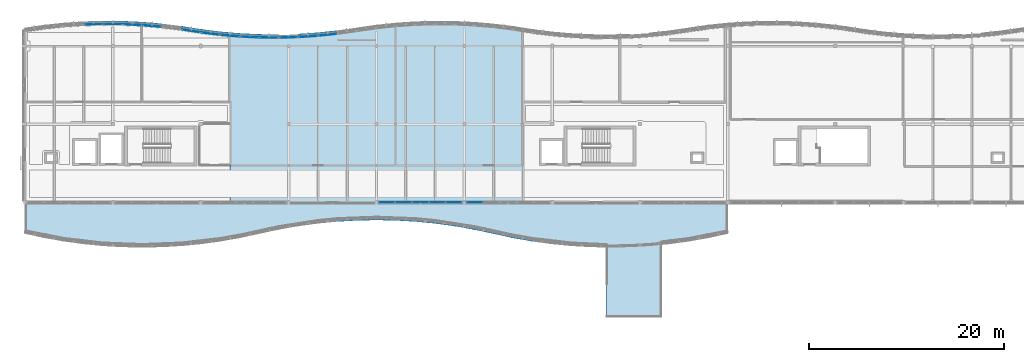
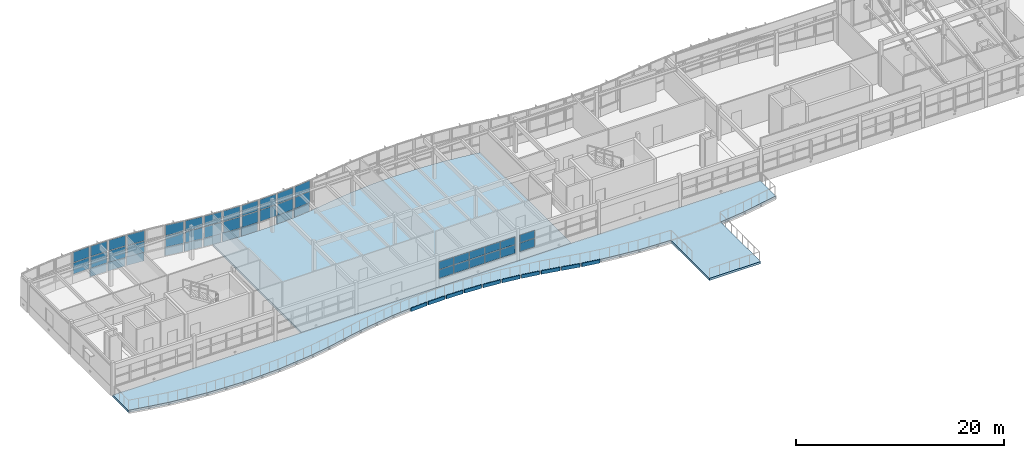
# One storey, part 15 of 33: 56 plates, 2 slabs, 14 elements without a shape of their own.
"""IFC4 building model written with IfcOpenShell, lengths in metres."""

from ifc_helpers import new_model, si_unit, direction, frame, origin, origin_2d, place, context, subcontext, project, spatial, polyline, rectangle, outline, extrude, material, layer, layer_set, type_object, element, aggregate, save


model = new_model("IFC4")

# Units and contexts
model_context = context("Model", 3, precision=1e-05, world=origin(), true_north=direction((0.0, 1.0)))
body_context = subcontext(model_context, "Body", "Model", "MODEL_VIEW")
ifc_project = project(units=[si_unit("LENGTHUNIT", "METRE"), si_unit("AREAUNIT", "SQUARE_METRE"), si_unit("VOLUMEUNIT", "CUBIC_METRE"), si_unit("PLANEANGLEUNIT", "RADIAN"), si_unit("MASSUNIT", "GRAM", prefix="KILO")], contexts=[model_context])

# Site, building, storey
site_placement = place(None, origin())
site = spatial("IfcSite", under=ifc_project, at=site_placement, CompositionType="ELEMENT")
building_placement = place(site_placement, origin())
building = spatial("IfcBuilding", under=site, at=building_placement, Name="Tonlespit Floodbar School", CompositionType="ELEMENT")
storey_placement = place(building_placement, frame((0.0, 0.0, 16.199951171875)))
storey = spatial("IfcBuildingStorey", under=building, at=storey_placement, Name="L04", CompositionType="ELEMENT", Elevation=16.199951171875)

# Curtain wall, plates
ifc_material_1 = material(Name="Anodised Aluminium", Category="aluminium")
ifc_layer_1 = layer(ifc_material_1, 0.159912109375)
ifc_layer_set_1 = layer_set([ifc_layer_1], Name="Anodised Aluminium")
curtain_wall_type_1 = type_object("IfcCurtainWallType", Name="CurtainWall_1900x2700", PredefinedType="NOTDEFINED", material=ifc_layer_set_1)
curtain_wall_1_placement = place(storey_placement, origin())
curtain_wall_1 = element("IfcCurtainWall", 1, at=curtain_wall_1_placement, inside=storey, type_object=curtain_wall_type_1, Name="L04 unitised curtain wall 0169", PredefinedType="NOTDEFINED")
ifc_material_2 = material(Name="Laminated Low-E Glass", Category="glass")
ifc_layer_2 = layer(ifc_material_2, 0.028076171875)
ifc_layer_set_2 = layer_set([ifc_layer_2], Name="Laminated Low-E Glass")
plate_type_1 = type_object("IfcPlateType", Name="CW_Panel_Glaz_28", PredefinedType="CURTAIN_PANEL", material=ifc_layer_set_2)
plate_1_placement = place(storey_placement, frame((51.0, 122.21826171875, 1.01513671875), z_axis=(0.0, 0.0, 1.0), x_axis=(0.999585477883, 0.028790144226, 0.0)))
plate_1 = element("IfcPlate", 2, at=plate_1_placement, type_object=plate_type_1, Name="CW-05 panel 1.1", PredefinedType="CURTAIN_PANEL", context=body_context, shape_type="SweptSolid", body=[
    extrude(rectangle(XDim=1.790771484375, YDim=0.028076171875, at=origin_2d()), origin(), (0.0, 0.0, 1.0), 1.306396484375),
])
plate_2_placement = place(storey_placement, frame((51.0, 122.21826171875, 2.38671875), z_axis=(0.0, 0.0, 1.0), x_axis=(0.999585477883, 0.028790144226, 0.0)))
plate_2 = element("IfcPlate", 3, at=plate_2_placement, type_object=plate_type_1, Name="CW-05 panel 1.2", PredefinedType="CURTAIN_PANEL", context=body_context, shape_type="SweptSolid", body=[
    extrude(rectangle(XDim=1.790771484375, YDim=0.028076171875, at=origin_2d()), origin(), (0.0, 0.0, 1.0), 1.198486328125),
])
aggregate(curtain_wall_1, [plate_1, plate_2])

curtain_wall_2_placement = place(storey_placement, origin())
curtain_wall_2 = element("IfcCurtainWall", 4, at=curtain_wall_2_placement, inside=storey, type_object=curtain_wall_type_1, Name="L04 unitised curtain wall 0177", PredefinedType="NOTDEFINED")
plate_3_placement = place(storey_placement, frame((67.0, 120.92041015625, 1.01513671875), z_axis=(0.0, 0.0, 1.0), x_axis=(0.998841500616, -0.048121270216, 0.0)))
plate_3 = element("IfcPlate", 5, at=plate_3_placement, type_object=plate_type_1, Name="CW-05 panel 1.1", PredefinedType="CURTAIN_PANEL", context=body_context, shape_type="SweptSolid", body=[
    extrude(rectangle(XDim=1.792236328125, YDim=0.028076171875, at=origin_2d()), origin(), (0.0, 0.0, 1.0), 1.306396484375),
])
plate_4_placement = place(storey_placement, frame((67.0, 120.92041015625, 2.38671875), z_axis=(0.0, 0.0, 1.0), x_axis=(0.998841500616, -0.048121270216, 0.0)))
plate_4 = element("IfcPlate", 6, at=plate_4_placement, type_object=plate_type_1, Name="CW-05 panel 1.2", PredefinedType="CURTAIN_PANEL", context=body_context, shape_type="SweptSolid", body=[
    extrude(rectangle(XDim=1.792236328125, YDim=0.028076171875, at=origin_2d()), origin(), (0.0, 0.0, 1.0), 1.198486328125),
])
aggregate(curtain_wall_2, [plate_3, plate_4])

ifc_layer_3 = layer(ifc_material_1, 0.159912109375)
ifc_layer_set_3 = layer_set([ifc_layer_3], Name="Anodised Aluminium")
curtain_wall_type_2 = type_object("IfcCurtainWallType", Name="CurtainWall_1950x2700", PredefinedType="NOTDEFINED", material=ifc_layer_set_3)
curtain_wall_3_placement = place(storey_placement, origin())
curtain_wall_3 = element("IfcCurtainWall", 7, at=curtain_wall_3_placement, inside=storey, type_object=curtain_wall_type_2, Name="L04 unitised curtain wall 0181", PredefinedType="NOTDEFINED")
plate_5_placement = place(storey_placement, frame((75.0, 121.152099609375, 1.01513671875), z_axis=(0.0, 0.0, 1.0), x_axis=(0.994388797288, 0.105787143968, 0.0)))
plate_5 = element("IfcPlate", 8, at=plate_5_placement, type_object=plate_type_1, Name="CW-04 panel 1.1", PredefinedType="CURTAIN_PANEL", context=body_context, shape_type="SweptSolid", body=[
    extrude(rectangle(XDim=1.80126953125, YDim=0.028076171875, at=origin_2d()), origin(), (0.0, 0.0, 1.0), 1.306396484375),
])
plate_6_placement = place(storey_placement, frame((75.0, 121.152099609375, 2.38671875), z_axis=(0.0, 0.0, 1.0), x_axis=(0.994388797288, 0.105787143968, 0.0)))
plate_6 = element("IfcPlate", 9, at=plate_6_placement, type_object=plate_type_1, Name="CW-04 panel 1.2", PredefinedType="CURTAIN_PANEL", context=body_context, shape_type="SweptSolid", body=[
    extrude(rectangle(XDim=1.80126953125, YDim=0.028076171875, at=origin_2d()), origin(), (0.0, 0.0, 1.0), 1.198486328125),
])
aggregate(curtain_wall_3, [plate_5, plate_6])

curtain_wall_4_placement = place(storey_placement, origin())
curtain_wall_4 = element("IfcCurtainWall", 10, at=curtain_wall_4_placement, inside=storey, type_object=curtain_wall_type_1, Name="L04 unitised curtain wall 0170", PredefinedType="NOTDEFINED")
ifc_layer_4 = layer(ifc_material_2, 0.031982421875)
ifc_layer_set_4 = layer_set([ifc_layer_4], Name="Laminated Low-E Glass")
plate_type_2 = type_object("IfcPlateType", Name="CW_Panel_Glaz_32", PredefinedType="CURTAIN_PANEL", material=ifc_layer_set_4)
plate_7_placement = place(storey_placement, frame((53.0, 122.2373046875, 1.01513671875), z_axis=(0.0, 0.0, 1.0), x_axis=(0.999954083024, -0.009582893292, 0.0)))
plate_7 = element("IfcPlate", 11, at=plate_7_placement, type_object=plate_type_2, Name="CW-05 panel 1.1", PredefinedType="CURTAIN_PANEL", context=body_context, shape_type="SweptSolid", body=[
    extrude(rectangle(XDim=1.7900390625, YDim=0.031982421875, at=origin_2d()), origin(), (0.0, 0.0, 1.0), 1.306396484375),
])
plate_8_placement = place(storey_placement, frame((53.0, 122.2373046875, 2.38671875), z_axis=(0.0, 0.0, 1.0), x_axis=(0.999954083024, -0.009582893292, 0.0)))
plate_8 = element("IfcPlate", 12, at=plate_8_placement, type_object=plate_type_2, Name="CW-05 panel 1.2", PredefinedType="CURTAIN_PANEL", context=body_context, shape_type="SweptSolid", body=[
    extrude(rectangle(XDim=1.7900390625, YDim=0.031982421875, at=origin_2d()), origin(), (0.0, 0.0, 1.0), 1.198486328125),
])
aggregate(curtain_wall_4, [plate_7, plate_8])

curtain_wall_5_placement = place(storey_placement, origin())
curtain_wall_5 = element("IfcCurtainWall", 13, at=curtain_wall_5_placement, inside=storey, type_object=curtain_wall_type_2, Name="L04 unitised curtain wall 0174", PredefinedType="NOTDEFINED")
plate_9_placement = place(storey_placement, frame((61.0, 121.550048828125, 1.01513671875), z_axis=(0.0, 0.0, 1.0), x_axis=(0.988102576465, -0.153796288585, 0.0)))
plate_9 = element("IfcPlate", 14, at=plate_9_placement, type_object=plate_type_2, Name="CW-04 panel 1.1", PredefinedType="CURTAIN_PANEL", context=body_context, shape_type="SweptSolid", body=[
    extrude(rectangle(XDim=1.814208984375, YDim=0.031982421875, at=origin_2d()), origin(), (0.0, 0.0, 1.0), 1.306396484375),
])
plate_10_placement = place(storey_placement, frame((61.0, 121.550048828125, 2.38671875), z_axis=(0.0, 0.0, 1.0), x_axis=(0.988102576465, -0.153796288585, 0.0)))
plate_10 = element("IfcPlate", 15, at=plate_10_placement, type_object=plate_type_2, Name="CW-04 panel 1.2", PredefinedType="CURTAIN_PANEL", context=body_context, shape_type="SweptSolid", body=[
    extrude(rectangle(XDim=1.814208984375, YDim=0.031982421875, at=origin_2d()), origin(), (0.0, 0.0, 1.0), 1.198486328125),
])
aggregate(curtain_wall_5, [plate_9, plate_10])

curtain_wall_6_placement = place(storey_placement, origin())
curtain_wall_6 = element("IfcCurtainWall", 16, at=curtain_wall_6_placement, inside=storey, type_object=curtain_wall_type_1, Name="L04 unitised curtain wall 0178", PredefinedType="NOTDEFINED")
plate_11_placement = place(storey_placement, frame((69.0, 120.862548828125, 1.01513671875), z_axis=(0.0, 0.0, 1.0), x_axis=(0.999954083024, -0.009582893292, 0.0)))
plate_11 = element("IfcPlate", 17, at=plate_11_placement, type_object=plate_type_2, Name="CW-05 panel 1.1", PredefinedType="CURTAIN_PANEL", context=body_context, shape_type="SweptSolid", body=[
    extrude(rectangle(XDim=1.7900390625, YDim=0.031982421875, at=origin_2d()), origin(), (0.0, 0.0, 1.0), 1.306396484375),
])
plate_12_placement = place(storey_placement, frame((69.0, 120.862548828125, 2.38671875), z_axis=(0.0, 0.0, 1.0), x_axis=(0.999954083024, -0.009582893292, 0.0)))
plate_12 = element("IfcPlate", 18, at=plate_12_placement, type_object=plate_type_2, Name="CW-05 panel 1.2", PredefinedType="CURTAIN_PANEL", context=body_context, shape_type="SweptSolid", body=[
    extrude(rectangle(XDim=1.7900390625, YDim=0.031982421875, at=origin_2d()), origin(), (0.0, 0.0, 1.0), 1.198486328125),
])
aggregate(curtain_wall_6, [plate_11, plate_12])

curtain_wall_7_placement = place(storey_placement, origin())
curtain_wall_7 = element("IfcCurtainWall", 19, at=curtain_wall_7_placement, inside=storey, type_object=curtain_wall_type_1, Name="L04 unitised curtain wall 0171", PredefinedType="NOTDEFINED")
ifc_layer_5 = layer(ifc_material_2, 0.035888671875)
ifc_layer_set_5 = layer_set([ifc_layer_5], Name="Laminated Low-E Glass")
plate_type_3 = type_object("IfcPlateType", Name="CW_Panel_Glaz_36", PredefinedType="CURTAIN_PANEL", material=ifc_layer_set_5)
plate_13_placement = place(storey_placement, frame((55.0, 122.1796875, 1.01513671875), z_axis=(0.0, 0.0, 1.0), x_axis=(0.998841500616, -0.048121270216, 0.0)))
plate_13 = element("IfcPlate", 20, at=plate_13_placement, type_object=plate_type_3, Name="CW-05 panel 1.1", PredefinedType="CURTAIN_PANEL", context=body_context, shape_type="SweptSolid", body=[
    extrude(rectangle(XDim=1.792236328125, YDim=0.035888671875, at=origin_2d()), origin(), (0.0, 0.0, 1.0), 1.306396484375),
])
plate_14_placement = place(storey_placement, frame((55.0, 122.1796875, 2.38671875), z_axis=(0.0, 0.0, 1.0), x_axis=(0.998841500616, -0.048121270216, 0.0)))
plate_14 = element("IfcPlate", 21, at=plate_14_placement, type_object=plate_type_3, Name="CW-05 panel 1.2", PredefinedType="CURTAIN_PANEL", context=body_context, shape_type="SweptSolid", body=[
    extrude(rectangle(XDim=1.792236328125, YDim=0.035888671875, at=origin_2d()), origin(), (0.0, 0.0, 1.0), 1.198486328125),
])
aggregate(curtain_wall_7, [plate_13, plate_14])

curtain_wall_8_placement = place(storey_placement, origin())
curtain_wall_8 = element("IfcCurtainWall", 22, at=curtain_wall_8_placement, inside=storey, type_object=curtain_wall_type_2, Name="L04 unitised curtain wall 0175", PredefinedType="NOTDEFINED")
plate_15_placement = place(storey_placement, frame((63.0, 121.268310546875, 1.01513671875), z_axis=(0.0, 0.0, 1.0), x_axis=(0.992155002499, -0.125013803299, 0.0)))
plate_15 = element("IfcPlate", 23, at=plate_15_placement, type_object=plate_type_3, Name="CW-04 panel 1.1", PredefinedType="CURTAIN_PANEL", context=body_context, shape_type="SweptSolid", body=[
    extrude(rectangle(XDim=1.805908203125, YDim=0.035888671875, at=origin_2d()), origin(), (0.0, 0.0, 1.0), 1.306396484375),
])
plate_16_placement = place(storey_placement, frame((63.0, 121.268310546875, 2.38671875), z_axis=(0.0, 0.0, 1.0), x_axis=(0.992155002499, -0.125013803299, 0.0)))
plate_16 = element("IfcPlate", 24, at=plate_16_placement, type_object=plate_type_3, Name="CW-04 panel 1.2", PredefinedType="CURTAIN_PANEL", context=body_context, shape_type="SweptSolid", body=[
    extrude(rectangle(XDim=1.805908203125, YDim=0.035888671875, at=origin_2d()), origin(), (0.0, 0.0, 1.0), 1.198486328125),
])
aggregate(curtain_wall_8, [plate_15, plate_16])

curtain_wall_9_placement = place(storey_placement, origin())
curtain_wall_9 = element("IfcCurtainWall", 25, at=curtain_wall_9_placement, inside=storey, type_object=curtain_wall_type_1, Name="L04 unitised curtain wall 0179", PredefinedType="NOTDEFINED")
plate_17_placement = place(storey_placement, frame((71.0, 120.8818359375, 1.01513671875), z_axis=(0.0, 0.0, 1.0), x_axis=(0.999585477883, 0.028790144226, 0.0)))
plate_17 = element("IfcPlate", 26, at=plate_17_placement, type_object=plate_type_3, Name="CW-05 panel 1.1", PredefinedType="CURTAIN_PANEL", context=body_context, shape_type="SweptSolid", body=[
    extrude(rectangle(XDim=1.790771484375, YDim=0.035888671875, at=origin_2d()), origin(), (0.0, 0.0, 1.0), 1.306396484375),
])
plate_18_placement = place(storey_placement, frame((71.0, 120.8818359375, 2.38671875), z_axis=(0.0, 0.0, 1.0), x_axis=(0.999585477883, 0.028790144226, 0.0)))
plate_18 = element("IfcPlate", 27, at=plate_18_placement, type_object=plate_type_3, Name="CW-05 panel 1.2", PredefinedType="CURTAIN_PANEL", context=body_context, shape_type="SweptSolid", body=[
    extrude(rectangle(XDim=1.790771484375, YDim=0.035888671875, at=origin_2d()), origin(), (0.0, 0.0, 1.0), 1.198486328125),
])
aggregate(curtain_wall_9, [plate_17, plate_18])

ifc_layer_6 = layer(ifc_material_1, 0.159912109375)
ifc_layer_set_6 = layer_set([ifc_layer_6], Name="Anodised Aluminium")
curtain_wall_type_3 = type_object("IfcCurtainWallType", Name="CurtainWall_8600x2050", PredefinedType="NOTDEFINED", material=ifc_layer_set_6)
curtain_wall_10_placement = place(storey_placement, origin())
curtain_wall_10 = element("IfcCurtainWall", 28, at=curtain_wall_10_placement, inside=storey, type_object=curtain_wall_type_3, Name="L04 unitised curtain wall 0203", PredefinedType="NOTDEFINED")
plate_19_placement = place(storey_placement, frame((90.076171875, 104.0, 1.01513671875), z_axis=(0.0, 0.0, 1.0), x_axis=(-1.0, 0.0, 0.0)))
plate_19 = element("IfcPlate", 29, at=plate_19_placement, type_object=plate_type_3, Name="CW-08 panel 5.1", PredefinedType="CURTAIN_PANEL", context=body_context, shape_type="SweptSolid", body=[
    extrude(rectangle(XDim=1.62255859375, YDim=0.035888671875, at=origin_2d()), origin(), (0.0, 0.0, 1.0), 0.97265625),
])
plate_20_placement = place(storey_placement, frame((90.076171875, 104.0, 2.052734375), z_axis=(0.0, 0.0, 1.0), x_axis=(-1.0, 0.0, 0.0)))
plate_20 = element("IfcPlate", 30, at=plate_20_placement, type_object=plate_type_3, Name="CW-08 panel 5.2", PredefinedType="CURTAIN_PANEL", context=body_context, shape_type="SweptSolid", body=[
    extrude(rectangle(XDim=1.62255859375, YDim=0.035888671875, at=origin_2d()), origin(), (0.0, 0.0, 1.0), 0.890380859375),
])
aggregate(curtain_wall_10, [plate_19, plate_20])

curtain_wall_11_placement = place(storey_placement, origin())
curtain_wall_11 = element("IfcCurtainWall", 31, at=curtain_wall_11_placement, inside=storey, type_object=curtain_wall_type_2, Name="L04 unitised curtain wall 0172", PredefinedType="NOTDEFINED")
ifc_layer_7 = layer(ifc_material_2, 0.0419921875)
ifc_layer_set_7 = layer_set([ifc_layer_7], Name="Laminated Low-E Glass")
plate_type_4 = type_object("IfcPlateType", Name="CW_Panel_Glaz_42", PredefinedType="CURTAIN_PANEL", material=ifc_layer_set_7)
plate_21_placement = place(storey_placement, frame((57.0, 122.044677734375, 1.01513671875), z_axis=(0.0, 0.0, 1.0), x_axis=(0.996249148412, -0.086531117454, 0.0)))
plate_21 = element("IfcPlate", 32, at=plate_21_placement, type_object=plate_type_4, Name="CW-04 panel 1.1", PredefinedType="CURTAIN_PANEL", context=body_context, shape_type="SweptSolid", body=[
    extrude(rectangle(XDim=1.797607421875, YDim=0.0419921875, at=origin_2d()), origin(), (0.0, 0.0, 1.0), 1.306396484375),
])
plate_22_placement = place(storey_placement, frame((57.0, 122.044677734375, 2.38671875), z_axis=(0.0, 0.0, 1.0), x_axis=(0.996249148412, -0.086531117454, 0.0)))
plate_22 = element("IfcPlate", 33, at=plate_22_placement, type_object=plate_type_4, Name="CW-04 panel 1.2", PredefinedType="CURTAIN_PANEL", context=body_context, shape_type="SweptSolid", body=[
    extrude(rectangle(XDim=1.797607421875, YDim=0.0419921875, at=origin_2d()), origin(), (0.0, 0.0, 1.0), 1.198486328125),
])
aggregate(curtain_wall_11, [plate_21, plate_22])

curtain_wall_12_placement = place(storey_placement, origin())
curtain_wall_12 = element("IfcCurtainWall", 34, at=curtain_wall_12_placement, inside=storey, type_object=curtain_wall_type_2, Name="L04 unitised curtain wall 0176", PredefinedType="NOTDEFINED")
plate_23_placement = place(storey_placement, frame((65.0, 121.055419921875, 1.01513671875), z_axis=(0.0, 0.0, 1.0), x_axis=(0.996249148412, -0.086531117454, 0.0)))
plate_23 = element("IfcPlate", 35, at=plate_23_placement, type_object=plate_type_4, Name="CW-04 panel 1.1", PredefinedType="CURTAIN_PANEL", context=body_context, shape_type="SweptSolid", body=[
    extrude(rectangle(XDim=1.797607421875, YDim=0.0419921875, at=origin_2d()), origin(), (0.0, 0.0, 1.0), 1.306396484375),
])
plate_24_placement = place(storey_placement, frame((65.0, 121.055419921875, 2.38671875), z_axis=(0.0, 0.0, 1.0), x_axis=(0.996249148412, -0.086531117454, 0.0)))
plate_24 = element("IfcPlate", 36, at=plate_24_placement, type_object=plate_type_4, Name="CW-04 panel 1.2", PredefinedType="CURTAIN_PANEL", context=body_context, shape_type="SweptSolid", body=[
    extrude(rectangle(XDim=1.797607421875, YDim=0.0419921875, at=origin_2d()), origin(), (0.0, 0.0, 1.0), 1.198486328125),
])
aggregate(curtain_wall_12, [plate_23, plate_24])

curtain_wall_13_placement = place(storey_placement, origin())
curtain_wall_13 = element("IfcCurtainWall", 37, at=curtain_wall_13_placement, inside=storey, type_object=curtain_wall_type_1, Name="L04 unitised curtain wall 0180", PredefinedType="NOTDEFINED")
plate_25_placement = place(storey_placement, frame((73.0, 120.978271484375, 1.01513671875), z_axis=(0.0, 0.0, 1.0), x_axis=(0.99773010165, 0.067339767311, 0.0)))
plate_25 = element("IfcPlate", 38, at=plate_25_placement, type_object=plate_type_4, Name="CW-05 panel 1.1", PredefinedType="CURTAIN_PANEL", context=body_context, shape_type="SweptSolid", body=[
    extrude(rectangle(XDim=1.794677734375, YDim=0.0419921875, at=origin_2d()), origin(), (0.0, 0.0, 1.0), 1.306396484375),
])
plate_26_placement = place(storey_placement, frame((73.0, 120.978271484375, 2.38671875), z_axis=(0.0, 0.0, 1.0), x_axis=(0.99773010165, 0.067339767311, 0.0)))
plate_26 = element("IfcPlate", 39, at=plate_26_placement, type_object=plate_type_4, Name="CW-05 panel 1.2", PredefinedType="CURTAIN_PANEL", context=body_context, shape_type="SweptSolid", body=[
    extrude(rectangle(XDim=1.794677734375, YDim=0.0419921875, at=origin_2d()), origin(), (0.0, 0.0, 1.0), 1.198486328125),
])
aggregate(curtain_wall_13, [plate_25, plate_26])

curtain_wall_14_placement = place(storey_placement, origin())
curtain_wall_14 = element("IfcCurtainWall", 40, at=curtain_wall_14_placement, inside=storey, type_object=curtain_wall_type_3, Name="L04 unitised curtain wall 0204", PredefinedType="NOTDEFINED")
plate_27_placement = place(storey_placement, frame((87.923828125, 104.0, 1.01513671875), z_axis=(0.0, 0.0, 1.0), x_axis=(-1.0, 0.0, 0.0)))
plate_27 = element("IfcPlate", 41, at=plate_27_placement, type_object=plate_type_4, Name="CW-08 panel 1.1", PredefinedType="CURTAIN_PANEL", context=body_context, shape_type="SweptSolid", body=[
    extrude(rectangle(XDim=1.62255859375, YDim=0.0419921875, at=origin_2d()), origin(), (0.0, 0.0, 1.0), 0.9736328125),
])
plate_28_placement = place(storey_placement, frame((87.923828125, 104.0, 2.0537109375), z_axis=(0.0, 0.0, 1.0), x_axis=(-1.0, 0.0, 0.0)))
plate_28 = element("IfcPlate", 42, at=plate_28_placement, type_object=plate_type_4, Name="CW-08 panel 1.2", PredefinedType="CURTAIN_PANEL", context=body_context, shape_type="SweptSolid", body=[
    extrude(rectangle(XDim=1.62255859375, YDim=0.0419921875, at=origin_2d()), origin(), (0.0, 0.0, 1.0), 0.891357421875),
])
plate_29_placement = place(storey_placement, frame((86.219970703125, 104.0, 1.01513671875), z_axis=(0.0, 0.0, 1.0), x_axis=(-1.0, 0.0, 0.0)))
plate_29 = element("IfcPlate", 43, at=plate_29_placement, type_object=plate_type_4, Name="CW-08 panel 2.1", PredefinedType="CURTAIN_PANEL", context=body_context, shape_type="SweptSolid", body=[
    extrude(rectangle(XDim=1.655029296875, YDim=0.0419921875, at=origin_2d()), origin(), (0.0, 0.0, 1.0), 0.9736328125),
])
plate_30_placement = place(storey_placement, frame((86.219970703125, 104.0, 2.0537109375), z_axis=(0.0, 0.0, 1.0), x_axis=(-1.0, 0.0, 0.0)))
plate_30 = element("IfcPlate", 44, at=plate_30_placement, type_object=plate_type_4, Name="CW-08 panel 2.2", PredefinedType="CURTAIN_PANEL", context=body_context, shape_type="SweptSolid", body=[
    extrude(rectangle(XDim=1.655029296875, YDim=0.0419921875, at=origin_2d()), origin(), (0.0, 0.0, 1.0), 0.891357421875),
])
plate_31_placement = place(storey_placement, frame((84.5, 104.0, 1.01513671875), z_axis=(0.0, 0.0, 1.0), x_axis=(-1.0, 0.0, 0.0)))
plate_31 = element("IfcPlate", 45, at=plate_31_placement, type_object=plate_type_4, Name="CW-08 panel 3.1", PredefinedType="CURTAIN_PANEL", context=body_context, shape_type="SweptSolid", body=[
    extrude(rectangle(XDim=1.655029296875, YDim=0.0419921875, at=origin_2d()), origin(), (0.0, 0.0, 1.0), 0.9736328125),
])
plate_32_placement = place(storey_placement, frame((84.5, 104.0, 2.0537109375), z_axis=(0.0, 0.0, 1.0), x_axis=(-1.0, 0.0, 0.0)))
plate_32 = element("IfcPlate", 46, at=plate_32_placement, type_object=plate_type_4, Name="CW-08 panel 3.2", PredefinedType="CURTAIN_PANEL", context=body_context, shape_type="SweptSolid", body=[
    extrude(rectangle(XDim=1.655029296875, YDim=0.0419921875, at=origin_2d()), origin(), (0.0, 0.0, 1.0), 0.891357421875),
])
plate_33_placement = place(storey_placement, frame((82.780029296875, 104.0, 1.01513671875), z_axis=(0.0, 0.0, 1.0), x_axis=(-1.0, 0.0, 0.0)))
plate_33 = element("IfcPlate", 47, at=plate_33_placement, type_object=plate_type_4, Name="CW-08 panel 4.1", PredefinedType="CURTAIN_PANEL", context=body_context, shape_type="SweptSolid", body=[
    extrude(rectangle(XDim=1.655029296875, YDim=0.0419921875, at=origin_2d()), origin(), (0.0, 0.0, 1.0), 0.9736328125),
])
plate_34_placement = place(storey_placement, frame((82.780029296875, 104.0, 2.0537109375), z_axis=(0.0, 0.0, 1.0), x_axis=(-1.0, 0.0, 0.0)))
plate_34 = element("IfcPlate", 48, at=plate_34_placement, type_object=plate_type_4, Name="CW-08 panel 4.2", PredefinedType="CURTAIN_PANEL", context=body_context, shape_type="SweptSolid", body=[
    extrude(rectangle(XDim=1.655029296875, YDim=0.0419921875, at=origin_2d()), origin(), (0.0, 0.0, 1.0), 0.891357421875),
])
plate_35_placement = place(storey_placement, frame((81.076171875, 104.0, 1.01513671875), z_axis=(0.0, 0.0, 1.0), x_axis=(-1.0, 0.0, 0.0)))
plate_35 = element("IfcPlate", 49, at=plate_35_placement, type_object=plate_type_4, Name="CW-08 panel 5.1", PredefinedType="CURTAIN_PANEL", context=body_context, shape_type="SweptSolid", body=[
    extrude(rectangle(XDim=1.62255859375, YDim=0.0419921875, at=origin_2d()), origin(), (0.0, 0.0, 1.0), 0.9736328125),
])
plate_36_placement = place(storey_placement, frame((81.076171875, 104.0, 2.0537109375), z_axis=(0.0, 0.0, 1.0), x_axis=(-1.0, 0.0, 0.0)))
plate_36 = element("IfcPlate", 50, at=plate_36_placement, type_object=plate_type_4, Name="CW-08 panel 5.2", PredefinedType="CURTAIN_PANEL", context=body_context, shape_type="SweptSolid", body=[
    extrude(rectangle(XDim=1.62255859375, YDim=0.0419921875, at=origin_2d()), origin(), (0.0, 0.0, 1.0), 0.891357421875),
])
aggregate(curtain_wall_14, [plate_27, plate_28, plate_29, plate_30, plate_31, plate_32, plate_33, plate_34, plate_35, plate_36])

# Plates
ifc_material_3 = material(Name="White Architectural Aluminium", Category="aluminium")
ifc_layer_8 = layer(ifc_material_3, 0.06494140625)
ifc_layer_set_8 = layer_set([ifc_layer_8], Name="White Architectural Aluminium")
plate_type_5 = type_object("IfcPlateType", Name="FacadeRibbon_White_65", PredefinedType="SHEET", material=ifc_layer_set_8)
plate_37_placement = place(storey_placement, frame((53.001708984375, 122.41943359375, -0.1201171875), z_axis=(0.0, 0.0, 1.0), x_axis=(0.999953926969, -0.009599163462, 0.0)))
element("IfcPlate", 51, at=plate_37_placement, inside=storey, type_object=plate_type_5, Name="L04 flowing white street spandrel ribbon 0301", PredefinedType="SHEET", context=body_context, shape_type="SweptSolid", body=[
    extrude(rectangle(XDim=1.840087890625, YDim=0.06494140625, at=origin_2d()), origin(), (0.0, 0.0, 1.0), 1.070068359375),
])
plate_38_placement = place(storey_placement, frame((55.0087890625, 122.361328125, -0.1201171875), z_axis=(0.0, 0.0, 1.0), x_axis=(0.998842769234, -0.048094930587, 0.0)))
element("IfcPlate", 52, at=plate_38_placement, inside=storey, type_object=plate_type_5, Name="L04 flowing white street spandrel ribbon 0302", PredefinedType="SHEET", context=body_context, shape_type="SweptSolid", body=[
    extrude(rectangle(XDim=1.84228515625, YDim=0.06494140625, at=origin_2d()), origin(), (0.0, 0.0, 1.0), 1.070068359375),
])
plate_39_placement = place(storey_placement, frame((57.015869140625, 122.225830078125, -0.1201171875), z_axis=(0.0, 0.0, 1.0), x_axis=(0.996245486492, -0.086573267488, 0.0)))
element("IfcPlate", 53, at=plate_39_placement, inside=storey, type_object=plate_type_5, Name="L04 flowing white street spandrel ribbon 0303", PredefinedType="SHEET", context=body_context, shape_type="SweptSolid", body=[
    extrude(rectangle(XDim=1.847412109375, YDim=0.06494140625, at=origin_2d()), origin(), (0.0, 0.0, 1.0), 1.070068359375),
])
plate_40_placement = place(storey_placement, frame((61.028076171875, 121.729736328125, -0.1201171875), z_axis=(0.0, 0.0, 1.0), x_axis=(0.988094768361, -0.153846445322, 0.0)))
element("IfcPlate", 54, at=plate_40_placement, inside=storey, type_object=plate_type_5, Name="L04 flowing white street spandrel ribbon 0305", PredefinedType="SHEET", context=body_context, shape_type="SweptSolid", body=[
    extrude(rectangle(XDim=1.864013671875, YDim=0.06494140625, at=origin_2d()), origin(), (0.0, 0.0, 1.0), 1.070068359375),
])
plate_41_placement = place(storey_placement, frame((63.022705078125, 121.448974609375, -0.1201171875), z_axis=(0.0, 0.0, 1.0), x_axis=(0.99215533612, -0.125011155539, 0.0)))
element("IfcPlate", 55, at=plate_41_placement, inside=storey, type_object=plate_type_5, Name="L04 flowing white street spandrel ribbon 0306", PredefinedType="SHEET", context=body_context, shape_type="SweptSolid", body=[
    extrude(rectangle(XDim=1.855712890625, YDim=0.06494140625, at=origin_2d()), origin(), (0.0, 0.0, 1.0), 1.070068359375),
])
plate_42_placement = place(storey_placement, frame((65.015869140625, 121.23681640625, -0.1201171875), z_axis=(0.0, 0.0, 1.0), x_axis=(0.996245486492, -0.086573267488, 0.0)))
element("IfcPlate", 56, at=plate_42_placement, inside=storey, type_object=plate_type_5, Name="L04 flowing white street spandrel ribbon 0307", PredefinedType="SHEET", context=body_context, shape_type="SweptSolid", body=[
    extrude(rectangle(XDim=1.847412109375, YDim=0.06494140625, at=origin_2d()), origin(), (0.0, 0.0, 1.0), 1.070068359375),
])
plate_43_placement = place(storey_placement, frame((67.0087890625, 121.10205078125, -0.1201171875), z_axis=(0.0, 0.0, 1.0), x_axis=(0.998842769234, -0.048094930587, 0.0)))
element("IfcPlate", 57, at=plate_43_placement, inside=storey, type_object=plate_type_5, Name="L04 flowing white street spandrel ribbon 0308", PredefinedType="SHEET", context=body_context, shape_type="SweptSolid", body=[
    extrude(rectangle(XDim=1.84228515625, YDim=0.06494140625, at=origin_2d()), origin(), (0.0, 0.0, 1.0), 1.070068359375),
])
plate_44_placement = place(storey_placement, frame((69.001708984375, 121.044677734375, -0.1201171875), z_axis=(0.0, 0.0, 1.0), x_axis=(0.999953926969, -0.009599163462, 0.0)))
element("IfcPlate", 58, at=plate_44_placement, inside=storey, type_object=plate_type_5, Name="L04 flowing white street spandrel ribbon 0309", PredefinedType="SHEET", context=body_context, shape_type="SweptSolid", body=[
    extrude(rectangle(XDim=1.840087890625, YDim=0.06494140625, at=origin_2d()), origin(), (0.0, 0.0, 1.0), 1.070068359375),
])
plate_45_placement = place(storey_placement, frame((72.98779296875, 121.159912109375, -0.1201171875), z_axis=(0.0, 0.0, 1.0), x_axis=(0.997729639049, 0.067346621018, 0.0)))
element("IfcPlate", 59, at=plate_45_placement, inside=storey, type_object=plate_type_5, Name="L04 flowing white street spandrel ribbon 0311", PredefinedType="SHEET", context=body_context, shape_type="SweptSolid", body=[
    extrude(rectangle(XDim=1.844482421875, YDim=0.06494140625, at=origin_2d()), origin(), (0.0, 0.0, 1.0), 1.070068359375),
])
plate_46_placement = place(storey_placement, frame((74.980712890625, 121.3330078125, -0.1201171875), z_axis=(0.0, 0.0, 1.0), x_axis=(0.99439234017, 0.105753835922, 0.0)))
element("IfcPlate", 60, at=plate_46_placement, inside=storey, type_object=plate_type_5, Name="L04 flowing white street spandrel ribbon 0312", PredefinedType="SHEET", context=body_context, shape_type="SweptSolid", body=[
    extrude(rectangle(XDim=1.851318359375, YDim=0.06494140625, at=origin_2d()), origin(), (0.0, 0.0, 1.0), 1.070068359375),
])
plate_47_placement = place(storey_placement, frame((77.0, 102.185302734375, -0.2998046875), z_axis=(0.0, 0.0, 1.0), x_axis=(0.998333769428, 0.057703421212, 0.0)))
element("IfcPlate", 61, at=plate_47_placement, inside=storey, type_object=plate_type_5, Name="L04 flowing white street spandrel ribbon 0360", PredefinedType="SHEET", context=body_context, shape_type="SweptSolid", body=[
    extrude(rectangle(XDim=1.84326171875, YDim=0.06494140625, at=origin_2d()), origin(), (0.0, 0.0, 1.0), 0.419921875),
])
for number, where, z_axis, x_axis, name in (
    (62, (79.0, 102.26220703125, -0.2998046875), (0.0, 0.0, 1.0), (0.999814772764, 0.01924630259, 0.0), "L04 flowing white street spandrel ribbon 0361"),
    (63, (81.0, 102.26220703125, -0.2998046875), (0.0, 0.0, 1.0), (0.999814772764, -0.01924630259, 0.0), "L04 flowing white street spandrel ribbon 0362"),
):
    element("IfcPlate", number, at=place(storey_placement, frame(where, z_axis=z_axis, x_axis=x_axis)), inside=storey, type_object=plate_type_5, Name=name, PredefinedType="SHEET", context=body_context, shape_type="SweptSolid", body=[
        extrude(rectangle(XDim=1.84033203125, YDim=0.06494140625, at=origin_2d()), origin(), (0.0, 0.0, 1.0), 0.419921875),
    ])
plate_48_placement = place(storey_placement, frame((83.0, 102.185302734375, -0.2998046875), z_axis=(0.0, 0.0, 1.0), x_axis=(0.998333769428, -0.057703421212, 0.0)))
element("IfcPlate", 64, at=plate_48_placement, inside=storey, type_object=plate_type_5, Name="L04 flowing white street spandrel ribbon 0363", PredefinedType="SHEET", context=body_context, shape_type="SweptSolid", body=[
    extrude(rectangle(XDim=1.84326171875, YDim=0.06494140625, at=origin_2d()), origin(), (0.0, 0.0, 1.0), 0.419921875),
])
plate_49_placement = place(storey_placement, frame((85.0, 102.031005859375, -0.2998046875), z_axis=(0.0, 0.0, 1.0), x_axis=(0.995361841764, -0.096201891669, 0.0)))
element("IfcPlate", 65, at=plate_49_placement, inside=storey, type_object=plate_type_5, Name="L04 flowing white street spandrel ribbon 0364", PredefinedType="SHEET", context=body_context, shape_type="SweptSolid", body=[
    extrude(rectangle(XDim=1.849365234375, YDim=0.06494140625, at=origin_2d()), origin(), (0.0, 0.0, 1.0), 0.419921875),
])
plate_50_placement = place(storey_placement, frame((87.0, 101.79833984375, -0.2998046875), z_axis=(0.0, 0.0, 1.0), x_axis=(0.990898113281, -0.13461400037, 0.0)))
element("IfcPlate", 66, at=plate_50_placement, inside=storey, type_object=plate_type_5, Name="L04 flowing white street spandrel ribbon 0365", PredefinedType="SHEET", context=body_context, shape_type="SweptSolid", body=[
    extrude(rectangle(XDim=1.8583984375, YDim=0.06494140625, at=origin_2d()), origin(), (0.0, 0.0, 1.0), 0.419921875),
])
plate_51_placement = place(storey_placement, frame((89.0, 101.48681640625, -0.2998046875), z_axis=(0.0, 0.0, 1.0), x_axis=(0.984904884962, -0.17309641122, 0.0)))
element("IfcPlate", 67, at=plate_51_placement, inside=storey, type_object=plate_type_5, Name="L04 flowing white street spandrel ribbon 0366", PredefinedType="SHEET", context=body_context, shape_type="SweptSolid", body=[
    extrude(rectangle(XDim=1.87060546875, YDim=0.06494140625, at=origin_2d()), origin(), (0.0, 0.0, 1.0), 0.419921875),
])
for number, where, z_axis, x_axis, name in (
    (68, (91.0, 101.094482421875, -0.2998046875), (0.0, 0.0, 1.0), (0.977356843161, -0.21159773422, 0.0), "L04 flowing white street spandrel ribbon 0367"),
    (69, (93.0, 100.66162109375, -0.2998046875), (0.0, 0.0, 1.0), (0.977356843161, -0.21159773422, 0.0), "L04 flowing white street spandrel ribbon 0368"),
):
    element("IfcPlate", number, at=place(storey_placement, frame(where, z_axis=z_axis, x_axis=x_axis)), inside=storey, type_object=plate_type_5, Name=name, PredefinedType="SHEET", context=body_context, shape_type="SweptSolid", body=[
        extrude(rectangle(XDim=1.88623046875, YDim=0.06494140625, at=origin_2d()), origin(), (0.0, 0.0, 1.0), 0.419921875),
    ])
plate_52_placement = place(storey_placement, frame((95.0, 100.269287109375, -0.2998046875), z_axis=(0.0, 0.0, 1.0), x_axis=(0.984904884962, -0.17309641122, 0.0)))
element("IfcPlate", 70, at=plate_52_placement, inside=storey, type_object=plate_type_5, Name="L04 flowing white street spandrel ribbon 0369", PredefinedType="SHEET", context=body_context, shape_type="SweptSolid", body=[
    extrude(rectangle(XDim=1.87060546875, YDim=0.06494140625, at=origin_2d()), origin(), (0.0, 0.0, 1.0), 0.419921875),
])

# Slabs
ifc_material_4 = material(Name="CLT C24", Category="wood")
ifc_layer_9 = layer(ifc_material_4, 0.248046875)
ifc_layer_set_9 = layer_set([ifc_layer_9], Name="CLT C24")
slab_type_1 = type_object("IfcSlabType", Name="Slab_Floor_CLT_200", PredefinedType="FLOOR", material=ifc_layer_set_9)
slab_1_placement = place(storey_placement, frame((0.0, 0.0, -0.248046875)))
element("IfcSlab", 71, at=slab_1_placement, inside=storey, type_object=slab_type_1, Name="L04 V1 L04 central curved spine slab", PredefinedType="FLOOR", context=body_context, shape_type="SweptSolid", body=[
    extrude(outline(polyline([(65.0, 104.0), (95.0, 104.0), (95.0, 121.550048828125), (93.0, 121.841552734375), (91.0, 122.05419921875), (89.0, 122.189208984375), (87.0, 122.2470703125), (85.0, 122.227783203125), (83.0, 122.131591796875), (81.0, 121.957763671875), (79.0, 121.705810546875), (77.0, 121.394287109375), (75.0, 121.142333984375), (73.0, 120.968505859375), (71.0, 120.872314453125), (69.0, 120.85302734375), (67.0, 120.91064453125), (65.0, 121.045654296875), (65.0, 104.0)])), origin(), (0.0, 0.0, 1.0), 0.248046875),
])
ifc_layer_10 = layer(ifc_material_4, 0.251953125)
ifc_layer_set_10 = layer_set([ifc_layer_10], Name="CLT C24")
slab_type_2 = type_object("IfcSlabType", Name="Slab_Terrace_CLT_210", PredefinedType="FLOOR", material=ifc_layer_set_10)
slab_2_placement = place(storey_placement, frame((0.0, 0.0, -0.251953125)))
element("IfcSlab", 72, at=slab_2_placement, inside=storey, type_object=slab_type_2, Name="L04 V1 curved courtyard gallery step 3", PredefinedType="FLOOR", context=body_context, shape_type="SweptSolid", body=[
    extrude(outline(polyline([(109.219970703125, 92.199951171875), (103.52001953125, 92.199951171875), (103.52001953125, 99.605712890625), (100.0, 99.75048828125), (96.0, 100.215576171875), (94.0, 100.56689453125), (90.0, 101.43310546875), (86.0, 102.05615234375), (84.0, 102.24951171875), (80.0, 102.403564453125), (76.0, 102.24951171875), (74.0, 102.05615234375), (70.0, 101.43310546875), (66.0, 100.56689453125), (64.0, 100.215576171875), (60.0, 99.75048828125), (56.0, 99.596435546875), (52.0, 99.75048828125), (48.0, 100.215576171875), (44.0, 101.0), (44.0, 104.0), (116.0, 104.0), (116.0, 101.0), (112.0, 100.215576171875), (109.219970703125, 99.868408203125), (109.219970703125, 92.199951171875)])), origin(), (0.0, 0.0, 1.0), 0.251953125),
])

save(model, "model.ifc")
